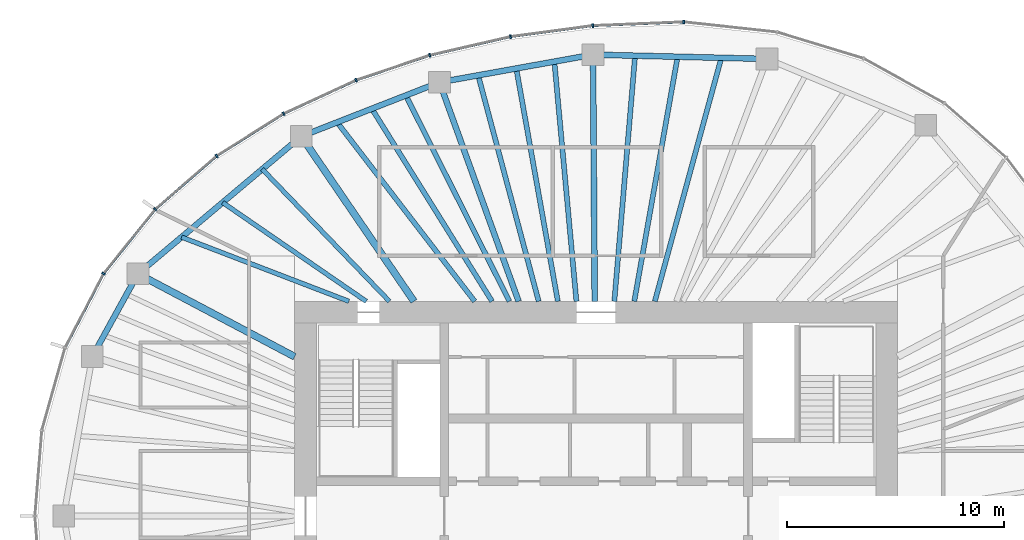
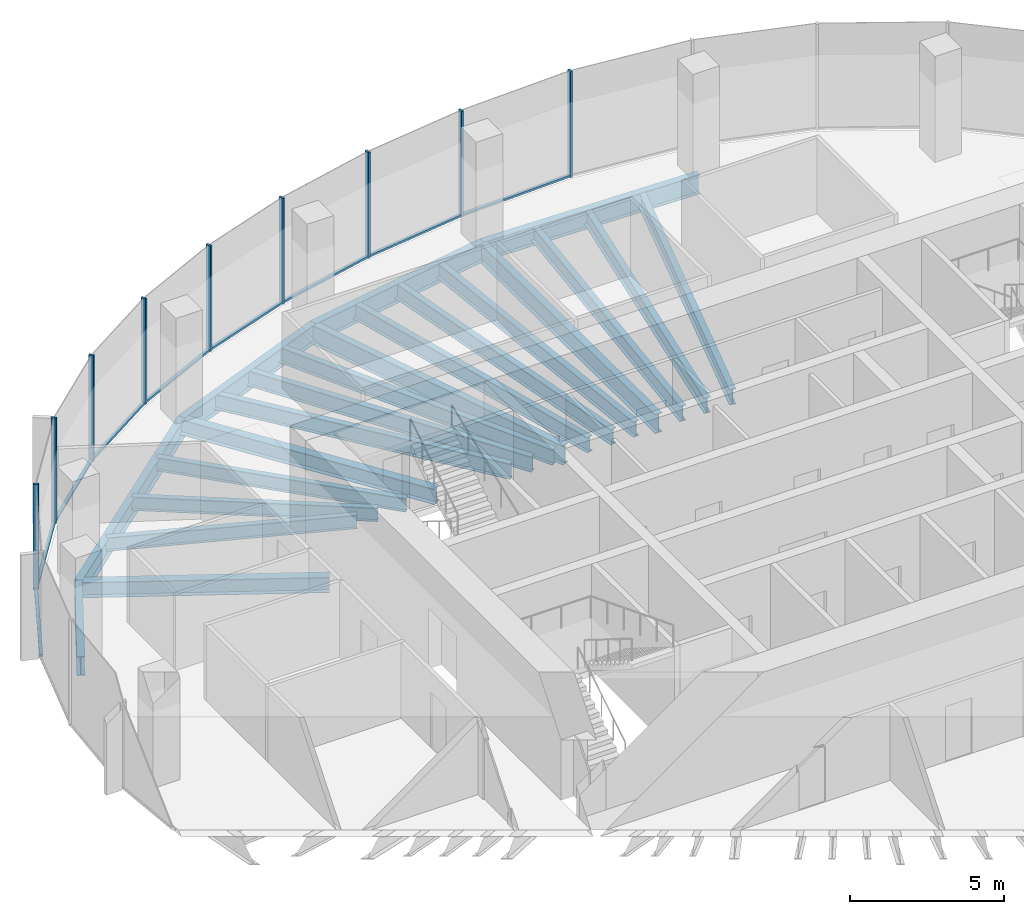
# One storey, part 5 of 11: 21 beams, 18 members, 5 elements without a shape of their own.
"""IFC4 building model written with IfcOpenShell, lengths in metres."""

from ifc_helpers import new_model, si_unit, direction, frame, origin, origin_2d, place, context, subcontext, project, spatial, rectangle, i_section, extrude, material, material_profile, profile_set, type_object, element, aggregate, save


model = new_model("IFC4")

# Units and contexts
model_context = context("Model", 3, precision=1e-05, world=origin(), true_north=direction((0.0, 1.0)))
body_context = subcontext(model_context, "Body", "Model", "MODEL_VIEW")
ifc_project = project(units=[si_unit("LENGTHUNIT", "METRE"), si_unit("AREAUNIT", "SQUARE_METRE"), si_unit("VOLUMEUNIT", "CUBIC_METRE"), si_unit("PLANEANGLEUNIT", "RADIAN"), si_unit("MASSUNIT", "GRAM", prefix="KILO")], contexts=[model_context])

# Site, building, storey
site_placement = place(None, origin())
site = spatial("IfcSite", under=ifc_project, at=site_placement, CompositionType="ELEMENT")
building_placement = place(site_placement, origin())
building = spatial("IfcBuilding", under=site, at=building_placement, Name="Ghaith Harvest Tower", CompositionType="ELEMENT")
storey_placement = place(building_placement, frame((0.0, 0.0, 330.0)))
storey = spatial("IfcBuildingStorey", under=building, at=storey_placement, Name="L74", CompositionType="ELEMENT", Elevation=330.0)

# Curtain wall, member
ifc_material_1 = material(Name="Black anodised aluminium and fritted glass", Category="aluminium")
curtain_wall_type = type_object("IfcCurtainWallType", Name="CW-T CURTAIN WALL", PredefinedType="NOTDEFINED", material=ifc_material_1)
curtain_wall_1_placement = place(storey_placement, origin())
curtain_wall_1 = element("IfcCurtainWall", 1, at=curtain_wall_1_placement, inside=storey, type_object=curtain_wall_type, Name="Curtain wall CW-T bay 05 L74", PredefinedType="NOTDEFINED")
ifc_material_2 = material(Name="Aluminium, black anodised", Category="aluminium")
ifc_material_profile_1 = material_profile(ifc_material_2, rectangle(XDim=0.080078125, YDim=0.179931640625, at=origin_2d()), Name="CW-T MULLION 80x180")
ifc_profile_set_1 = profile_set([ifc_material_profile_1], Name="Aluminium, black anodised")
member_type_1 = type_object("IfcMemberType", Name="CW-T MULLION 80x180", PredefinedType="MULLION", material=ifc_profile_set_1)
member_1_placement = place(storey_placement, frame((4.037841796875, 22.776611328125, 0.0), z_axis=(0.0, 0.0, 1.0), x_axis=(-0.999388631236, 0.034962319079, 0.0)))
member_1 = element("IfcMember", 2, at=member_1_placement, type_object=member_type_1, Name="CW-T mullion 2 bay 05 L74", PredefinedType="MULLION", context=body_context, shape_type="SweptSolid", body=[
    extrude(rectangle(XDim=0.080078125, YDim=0.179931640625, at=origin_2d()), origin(), (0.0, 0.0, 1.0), 4.199951171875),
])

# Curtain wall, members
curtain_wall_2_placement = place(storey_placement, origin())
curtain_wall_2 = element("IfcCurtainWall", 3, at=curtain_wall_2_placement, inside=storey, type_object=curtain_wall_type, Name="Curtain wall CW-T bay 06 L74", PredefinedType="NOTDEFINED")
member_2_placement = place(storey_placement, frame((-0.15478515625, 22.60595703125, 0.0), z_axis=(0.0, 0.0, 1.0), x_axis=(-0.996414855482, -0.084601629853, 0.0)))
member_2 = element("IfcMember", 4, at=member_2_placement, type_object=member_type_1, Name="CW-T mullion 1 bay 06 L74", PredefinedType="MULLION", context=body_context, shape_type="SweptSolid", body=[
    extrude(rectangle(XDim=0.080078125, YDim=0.179931640625, at=origin_2d()), origin(), (0.0, 0.0, 1.0), 4.199951171875),
])
member_3_placement = place(storey_placement, frame((-3.946533203125, 22.0986328125, 0.0), z_axis=(0.0, 0.0, 1.0), x_axis=(-0.983843447681, -0.179030920389, 0.0)))
member_3 = element("IfcMember", 5, at=member_3_placement, type_object=member_type_1, Name="CW-T mullion 2 bay 06 L74", PredefinedType="MULLION", context=body_context, shape_type="SweptSolid", body=[
    extrude(rectangle(XDim=0.080078125, YDim=0.179931640625, at=origin_2d()), origin(), (0.0, 0.0, 1.0), 4.199951171875),
])

curtain_wall_3_placement = place(storey_placement, origin())
curtain_wall_3 = element("IfcCurtainWall", 6, at=curtain_wall_3_placement, inside=storey, type_object=curtain_wall_type, Name="Curtain wall CW-T bay 07 L74", PredefinedType="NOTDEFINED")
member_4_placement = place(storey_placement, frame((-7.6708984375, 21.23828125, 0.0), z_axis=(0.0, 0.0, 1.0), x_axis=(-0.962552491436, -0.27109537294, 0.0)))
member_4 = element("IfcMember", 7, at=member_4_placement, type_object=member_type_1, Name="CW-T mullion 1 bay 07 L74", PredefinedType="MULLION", context=body_context, shape_type="SweptSolid", body=[
    extrude(rectangle(XDim=0.080078125, YDim=0.179931640625, at=origin_2d()), origin(), (0.0, 0.0, 1.0), 4.199951171875),
])
member_5_placement = place(storey_placement, frame((-11.0673828125, 20.093017578125, 0.0), z_axis=(0.0, 0.0, 1.0), x_axis=(-0.928624420706, -0.371021138573, 0.0)))
member_5 = element("IfcMember", 8, at=member_5_placement, type_object=member_type_1, Name="CW-T mullion 2 bay 07 L74", PredefinedType="MULLION", context=body_context, shape_type="SweptSolid", body=[
    extrude(rectangle(XDim=0.080078125, YDim=0.179931640625, at=origin_2d()), origin(), (0.0, 0.0, 1.0), 4.199951171875),
])

curtain_wall_4_placement = place(storey_placement, origin())
curtain_wall_4 = element("IfcCurtainWall", 9, at=curtain_wall_4_placement, inside=storey, type_object=curtain_wall_type, Name="Curtain wall CW-T bay 08 L74", PredefinedType="NOTDEFINED")
member_6_placement = place(storey_placement, frame((-14.40478515625, 18.5478515625, 0.0), z_axis=(0.0, 0.0, 1.0), x_axis=(-0.87867173244, -0.477426420101, 0.0)))
member_6 = element("IfcMember", 10, at=member_6_placement, type_object=member_type_1, Name="CW-T mullion 1 bay 08 L74", PredefinedType="MULLION", context=body_context, shape_type="SweptSolid", body=[
    extrude(rectangle(XDim=0.080078125, YDim=0.179931640625, at=origin_2d()), origin(), (0.0, 0.0, 1.0), 4.199951171875),
])
member_7_placement = place(storey_placement, frame((-17.49462890625, 16.600830078125, 0.0), z_axis=(0.0, 0.0, 1.0), x_axis=(-0.802189888678, -0.597068993084, 0.0)))
member_7 = element("IfcMember", 11, at=member_7_placement, type_object=member_type_1, Name="CW-T mullion 2 bay 08 L74", PredefinedType="MULLION", context=body_context, shape_type="SweptSolid", body=[
    extrude(rectangle(XDim=0.080078125, YDim=0.179931640625, at=origin_2d()), origin(), (0.0, 0.0, 1.0), 4.199951171875),
])

curtain_wall_5_placement = place(storey_placement, origin())
curtain_wall_5 = element("IfcCurtainWall", 12, at=curtain_wall_5_placement, inside=storey, type_object=curtain_wall_type, Name="Curtain wall CW-T bay 09 L74", PredefinedType="NOTDEFINED")
member_8_placement = place(storey_placement, frame((-20.324462890625, 14.141845703125, 0.0), z_axis=(0.0, 0.0, 1.0), x_axis=(-0.692826491995, -0.72110432809, 0.0)))
member_8 = element("IfcMember", 13, at=member_8_placement, type_object=member_type_1, Name="CW-T mullion 1 bay 09 L74", PredefinedType="MULLION", context=body_context, shape_type="SweptSolid", body=[
    extrude(rectangle(XDim=0.080078125, YDim=0.179931640625, at=origin_2d()), origin(), (0.0, 0.0, 1.0), 4.199951171875),
])
member_9_placement = place(storey_placement, frame((-22.706298828125, 11.176513671875, 0.0), z_axis=(0.0, 0.0, 1.0), x_axis=(-0.545865412621, -0.837872872997, 0.0)))
member_9 = element("IfcMember", 14, at=member_9_placement, type_object=member_type_1, Name="CW-T mullion 2 bay 09 L74", PredefinedType="MULLION", context=body_context, shape_type="SweptSolid", body=[
    extrude(rectangle(XDim=0.080078125, YDim=0.179931640625, at=origin_2d()), origin(), (0.0, 0.0, 1.0), 4.199951171875),
])

# Member
ifc_material_3 = material(Name="Aluminium, black anodised", Category="aluminium")
ifc_material_profile_2 = material_profile(ifc_material_3, rectangle(XDim=0.1201171875, YDim=0.080078125, at=origin_2d()), Name="CW-T TRANSOM 120x80")
ifc_profile_set_2 = profile_set([ifc_material_profile_2], Name="Aluminium, black anodised")
member_type_2 = type_object("IfcMemberType", Name="CW-T TRANSOM 120x80", PredefinedType="USERDEFINED", material=ifc_profile_set_2)
member_10_placement = place(storey_placement, frame((3.997802734375, 22.77490234375, 0.0400390625), z_axis=(-0.999174207562, -0.040631304968, 0.0), x_axis=(0.040631304968, -0.999174207562, 0.0)))
member_10 = element("IfcMember", 15, at=member_10_placement, type_object=member_type_2, Name="CW-T transom 2 bay 05 L74", ObjectType="TRANSOM", PredefinedType="USERDEFINED", context=body_context, shape_type="SweptSolid", body=[
    extrude(rectangle(XDim=0.1201171875, YDim=0.080078125, at=origin_2d()), origin(), (0.0, 0.0, 1.0), 4.115966796875),
])

aggregate(curtain_wall_1, [member_1, member_10])

member_11_placement = place(storey_placement, frame((-0.1943359375, 22.6005859375, 0.0400390625), z_axis=(-0.99117202259, -0.132582131655, 0.0), x_axis=(0.132582131655, -0.99117202259, 0.0)))
member_11 = element("IfcMember", 16, at=member_11_placement, type_object=member_type_2, Name="CW-T transom 1 bay 06 L74", ObjectType="TRANSOM", PredefinedType="USERDEFINED", context=body_context, shape_type="SweptSolid", body=[
    extrude(rectangle(XDim=0.1201171875, YDim=0.080078125, at=origin_2d()), origin(), (0.0, 0.0, 1.0), 3.745361328125),
])

member_12_placement = place(storey_placement, frame((-3.9853515625, 22.089599609375, 0.0400390625), z_axis=(-0.974344997799, -0.225059603803, 0.0), x_axis=(0.225059603803, -0.974344997799, 0.0)))
member_12 = element("IfcMember", 17, at=member_12_placement, type_object=member_type_2, Name="CW-T transom 2 bay 06 L74", ObjectType="TRANSOM", PredefinedType="USERDEFINED", context=body_context, shape_type="SweptSolid", body=[
    extrude(rectangle(XDim=0.1201171875, YDim=0.080078125, at=origin_2d()), origin(), (0.0, 0.0, 1.0), 3.742431640625),
])

aggregate(curtain_wall_2, [member_2, member_11, member_3, member_12])

member_13_placement = place(storey_placement, frame((-7.708740234375, 21.2255859375, 0.0400390625), z_axis=(-0.9475698206, -0.319548799228, 0.0), x_axis=(0.319548799228, -0.9475698206, 0.0)))
member_13 = element("IfcMember", 18, at=member_13_placement, type_object=member_type_2, Name="CW-T transom 1 bay 07 L74", ObjectType="TRANSOM", PredefinedType="USERDEFINED", context=body_context, shape_type="SweptSolid", body=[
    extrude(rectangle(XDim=0.1201171875, YDim=0.080078125, at=origin_2d()), origin(), (0.0, 0.0, 1.0), 3.504638671875),
])

member_14_placement = place(storey_placement, frame((-11.103759765625, 20.076171875, 0.0400390625), z_axis=(-0.907472177056, -0.420112184862, 0.0), x_axis=(0.420112184862, -0.907472177056, 0.0)))
member_14 = element("IfcMember", 19, at=member_14_placement, type_object=member_type_2, Name="CW-T transom 2 bay 07 L74", ObjectType="TRANSOM", PredefinedType="USERDEFINED", context=body_context, shape_type="SweptSolid", body=[
    extrude(rectangle(XDim=0.1201171875, YDim=0.080078125, at=origin_2d()), origin(), (0.0, 0.0, 1.0), 3.597900390625),
])

aggregate(curtain_wall_3, [member_4, member_13, member_5, member_14])

member_15_placement = place(storey_placement, frame((-14.438720703125, 18.5263671875, 0.0400390625), z_axis=(-0.846053602505, -0.533097835006, 0.0), x_axis=(0.533097835006, -0.846053602505, 0.0)))
member_15 = element("IfcMember", 20, at=member_15_placement, type_object=member_type_2, Name="CW-T transom 1 bay 08 L74", ObjectType="TRANSOM", PredefinedType="USERDEFINED", context=body_context, shape_type="SweptSolid", body=[
    extrude(rectangle(XDim=0.1201171875, YDim=0.080078125, at=origin_2d()), origin(), (0.0, 0.0, 1.0), 3.572021484375),
])

member_16_placement = place(storey_placement, frame((-17.52490234375, 16.574462890625, 0.0400390625), z_axis=(-0.754851889287, -0.65589528527, 0.0), x_axis=(0.65589528527, -0.754851889287, 0.0)))
member_16 = element("IfcMember", 21, at=member_16_placement, type_object=member_type_2, Name="CW-T transom 2 bay 08 L74", ObjectType="TRANSOM", PredefinedType="USERDEFINED", context=body_context, shape_type="SweptSolid", body=[
    extrude(rectangle(XDim=0.1201171875, YDim=0.080078125, at=origin_2d()), origin(), (0.0, 0.0, 1.0), 3.668701171875),
])

aggregate(curtain_wall_4, [member_6, member_15, member_7, member_16])

member_17_placement = place(storey_placement, frame((-20.349365234375, 14.110595703125, 0.0400390625), z_axis=(-0.626253073761, -0.779619835307, 0.0), x_axis=(0.779619835307, -0.626253073761, 0.0)))
member_17 = element("IfcMember", 22, at=member_17_placement, type_object=member_type_2, Name="CW-T transom 1 bay 09 L74", ObjectType="TRANSOM", PredefinedType="USERDEFINED", context=body_context, shape_type="SweptSolid", body=[
    extrude(rectangle(XDim=0.1201171875, YDim=0.080078125, at=origin_2d()), origin(), (0.0, 0.0, 1.0), 3.723388671875),
])

member_18_placement = place(storey_placement, frame((-22.724609375, 11.14111328125, 0.0400390625), z_axis=(-0.461242681347, -0.887274021317, 0.0), x_axis=(0.887274021317, -0.461242681347, 0.0)))
member_18 = element("IfcMember", 23, at=member_18_placement, type_object=member_type_2, Name="CW-T transom 2 bay 09 L74", ObjectType="TRANSOM", PredefinedType="USERDEFINED", context=body_context, shape_type="SweptSolid", body=[
    extrude(rectangle(XDim=0.1201171875, YDim=0.080078125, at=origin_2d()), origin(), (0.0, 0.0, 1.0), 3.77197265625),
])

aggregate(curtain_wall_5, [member_8, member_17, member_9, member_18])

# Beams
ifc_material_4 = material(Name="Steel ASTM A992 Grade 50", Category="steel")
ifc_material_profile_3 = material_profile(ifc_material_4, i_section(OverallWidth=0.26611328125, OverallDepth=0.758056640625, WebThickness=0.013916015625, FlangeThickness=0.019287109375, at=origin_2d()), Name="W760X161")
ifc_profile_set_3 = profile_set([ifc_material_profile_3], Name="Steel ASTM A992 Grade 50")
beam_type_1 = type_object("IfcBeamType", Name="E760-161 W760X161", PredefinedType="SPANDREL", material=ifc_profile_set_3)
beam_1_placement = place(storey_placement, frame((7.8779296875, 21.072021484375, -0.549072265625), z_axis=(-0.999692679676, 0.024790042413, 0.0), x_axis=(-0.024790042413, -0.999692679676, 0.0)))
element("IfcBeam", 24, at=beam_1_placement, inside=storey, type_object=beam_type_1, Name="Edge beam E05 L74", PredefinedType="SPANDREL", context=body_context, shape_type="SweptSolid", body=[
    extrude(i_section(OverallWidth=0.26611328125, OverallDepth=0.758056640625, WebThickness=0.013916015625, FlangeThickness=0.019287109375, at=origin_2d()), origin(), (0.0, 0.0, 1.0), 8.0263671875),
])
beam_2_placement = place(storey_placement, frame((-0.14599609375, 21.27099609375, -0.549072265625), z_axis=(-0.984177047684, -0.177187863051, 0.0), x_axis=(0.177187863051, -0.984177047684, 0.0)))
element("IfcBeam", 25, at=beam_2_placement, inside=storey, type_object=beam_type_1, Name="Edge beam E06 L74", PredefinedType="SPANDREL", context=body_context, shape_type="SweptSolid", body=[
    extrude(i_section(OverallWidth=0.26611328125, OverallDepth=0.758056640625, WebThickness=0.013916015625, FlangeThickness=0.019287109375, at=origin_2d()), origin(), (0.0, 0.0, 1.0), 7.189697265625),
])
beam_3_placement = place(storey_placement, frame((-7.221923828125, 19.9970703125, -0.549072265625), z_axis=(-0.931322768207, -0.364194867371, 0.0), x_axis=(0.364194867371, -0.931322768207, 0.0)))
element("IfcBeam", 26, at=beam_3_placement, inside=storey, type_object=beam_type_1, Name="Edge beam E07 L74", PredefinedType="SPANDREL", context=body_context, shape_type="SweptSolid", body=[
    extrude(i_section(OverallWidth=0.26611328125, OverallDepth=0.758056640625, WebThickness=0.013916015625, FlangeThickness=0.019287109375, at=origin_2d()), origin(), (0.0, 0.0, 1.0), 6.843017578125),
])
beam_4_placement = place(storey_placement, frame((-13.594970703125, 17.5048828125, -0.549072265625), z_axis=(-0.765021818761, -0.64400436087, 0.0), x_axis=(0.64400436087, -0.765021818761, 0.0)))
element("IfcBeam", 27, at=beam_4_placement, inside=storey, type_object=beam_type_1, Name="Edge beam E08 L74", PredefinedType="SPANDREL", context=body_context, shape_type="SweptSolid", body=[
    extrude(i_section(OverallWidth=0.26611328125, OverallDepth=0.758056640625, WebThickness=0.013916015625, FlangeThickness=0.019287109375, at=origin_2d()), origin(), (0.0, 0.0, 1.0), 9.8427734375),
])
beam_5_placement = place(storey_placement, frame((-21.125, 11.166015625, -0.549072265625), z_axis=(-0.482955575345, -0.875644855089, 0.0), x_axis=(0.875644855089, -0.482955575345, 0.0)))
element("IfcBeam", 28, at=beam_5_placement, inside=storey, type_object=beam_type_1, Name="Edge beam E09 L74", PredefinedType="SPANDREL", context=body_context, shape_type="SweptSolid", body=[
    extrude(i_section(OverallWidth=0.26611328125, OverallDepth=0.758056640625, WebThickness=0.013916015625, FlangeThickness=0.019287109375, at=origin_2d()), origin(), (0.0, 0.0, 1.0), 4.346435546875),
])
ifc_material_5 = material(Name="Steel ASTM A992 Grade 50", Category="steel")
ifc_material_profile_4 = material_profile(ifc_material_5, i_section(OverallWidth=0.323974609375, OverallDepth=0.611083984375, WebThickness=0.0126953125, FlangeThickness=0.01904296875, at=origin_2d()), Name="W610X155")
ifc_profile_set_4 = profile_set([ifc_material_profile_4], Name="Steel ASTM A992 Grade 50")
beam_type_2 = type_object("IfcBeamType", Name="G610-155 W610X155", PredefinedType="BEAM", material=ifc_profile_set_4)
beam_6_placement = place(storey_placement, frame((-8.39990234375, 9.89990234375, -0.4755859375), z_axis=(-0.564067018201, 0.825729010619, 0.0), x_axis=(-0.825729010619, -0.564067018201, 0.0)))
element("IfcBeam", 29, at=beam_6_placement, inside=storey, type_object=beam_type_2, Name="Radial girder G08 L74", PredefinedType="BEAM", context=body_context, shape_type="SweptSolid", body=[
    extrude(i_section(OverallWidth=0.323974609375, OverallDepth=0.611083984375, WebThickness=0.0126953125, FlangeThickness=0.01904296875, at=origin_2d()), origin(), (0.0, 0.0, 1.0), 9.2099609375),
])
beam_7_placement = place(storey_placement, frame((-13.89990234375, 7.34716796875, -0.4755859375), z_axis=(-0.88410164037, 0.467294649546, 0.0), x_axis=(-0.467294649546, -0.88410164037, 0.0)))
element("IfcBeam", 30, at=beam_7_placement, inside=storey, type_object=beam_type_2, Name="Radial girder G09 L74", PredefinedType="BEAM", context=body_context, shape_type="SweptSolid", body=[
    extrude(i_section(OverallWidth=0.323974609375, OverallDepth=0.611083984375, WebThickness=0.0126953125, FlangeThickness=0.01904296875, at=origin_2d()), origin(), (0.0, 0.0, 1.0), 8.17236328125),
])
ifc_material_6 = material(Name="Steel ASTM A992 Grade 50", Category="steel")
ifc_material_profile_5 = material_profile(ifc_material_6, i_section(OverallWidth=0.26611328125, OverallDepth=0.758056640625, WebThickness=0.013916015625, FlangeThickness=0.019287109375, at=origin_2d()), Name="W760X161")
ifc_profile_set_5 = profile_set([ifc_material_profile_5], Name="Steel ASTM A992 Grade 50")
beam_type_3 = type_object("IfcBeamType", Name="G760-161 W760X161", PredefinedType="BEAM", material=ifc_profile_set_5)
beam_8_placement = place(storey_placement, frame((-0.06787109375, 9.89990234375, -0.549072265625), z_axis=(-0.00687032909, 0.999976399011, 0.0), x_axis=(-0.999976399011, -0.00687032909, 0.0)))
element("IfcBeam", 31, at=beam_8_placement, inside=storey, type_object=beam_type_3, Name="Radial girder G06 L74", PredefinedType="BEAM", context=body_context, shape_type="SweptSolid", body=[
    extrude(i_section(OverallWidth=0.26611328125, OverallDepth=0.758056640625, WebThickness=0.013916015625, FlangeThickness=0.019287109375, at=origin_2d()), origin(), (0.0, 0.0, 1.0), 11.371337890625),
])
beam_9_placement = place(storey_placement, frame((-3.57568359375, 9.89990234375, -0.549072265625), z_axis=(-0.339647816823, 0.940552688863, 0.0), x_axis=(-0.940552688863, -0.339647816823, 0.0)))
element("IfcBeam", 32, at=beam_9_placement, inside=storey, type_object=beam_type_3, Name="Radial girder G07 L74", PredefinedType="BEAM", context=body_context, shape_type="SweptSolid", body=[
    extrude(i_section(OverallWidth=0.26611328125, OverallDepth=0.758056640625, WebThickness=0.013916015625, FlangeThickness=0.019287109375, at=origin_2d()), origin(), (0.0, 0.0, 1.0), 10.7353515625),
])
ifc_material_7 = material(Name="Steel ASTM A992 Grade 50", Category="steel")
ifc_material_profile_6 = material_profile(ifc_material_7, i_section(OverallWidth=0.2109375, OverallDepth=0.5390625, WebThickness=0.01171875, FlangeThickness=0.018798828125, at=origin_2d()), Name="W530X109")
ifc_profile_set_6 = profile_set([ifc_material_profile_6], Name="Steel ASTM A992 Grade 50")
beam_type_4 = type_object("IfcBeamType", Name="J530-109 W530X109", PredefinedType="JOIST", material=ifc_profile_set_6)
beam_10_placement = place(storey_placement, frame((-9.530517578125, 9.89990234375, -0.439453125), z_axis=(-0.693536238632, 0.720421741554, 0.0), x_axis=(-0.720421741554, -0.693536238632, 0.0)))
element("IfcBeam", 33, at=beam_10_placement, inside=storey, type_object=beam_type_4, Name="Joist J08.1 L74", PredefinedType="JOIST", context=body_context, shape_type="SweptSolid", body=[
    extrude(i_section(OverallWidth=0.2109375, OverallDepth=0.5390625, WebThickness=0.01171875, FlangeThickness=0.018798828125, at=origin_2d()), origin(), (0.0, 0.0, 1.0), 8.4541015625),
])
beam_11_placement = place(storey_placement, frame((-10.60009765625, 9.89990234375, -0.439453125), z_axis=(-0.823778502511, 0.566911791023, 0.0), x_axis=(-0.566911791023, -0.823778502511, 0.0)))
element("IfcBeam", 34, at=beam_11_placement, inside=storey, type_object=beam_type_4, Name="Joist J08.2 L74", PredefinedType="JOIST", context=body_context, shape_type="SweptSolid", body=[
    extrude(i_section(OverallWidth=0.2109375, OverallDepth=0.5390625, WebThickness=0.01171875, FlangeThickness=0.018798828125, at=origin_2d()), origin(), (0.0, 0.0, 1.0), 8.0341796875),
])
beam_12_placement = place(storey_placement, frame((-11.39990234375, 9.89990234375, -0.439453125), z_axis=(-0.933583045329, 0.358361127181, 0.0), x_axis=(-0.358361127181, -0.933583045329, 0.0)))
element("IfcBeam", 35, at=beam_12_placement, inside=storey, type_object=beam_type_4, Name="Joist J08.3 L74", PredefinedType="JOIST", context=body_context, shape_type="SweptSolid", body=[
    extrude(i_section(OverallWidth=0.2109375, OverallDepth=0.5390625, WebThickness=0.01171875, FlangeThickness=0.018798828125, at=origin_2d()), origin(), (0.0, 0.0, 1.0), 8.260986328125),
])
ifc_material_8 = material(Name="Steel ASTM A992 Grade 50", Category="steel")
ifc_material_profile_7 = material_profile(ifc_material_8, i_section(OverallWidth=0.22998046875, OverallDepth=0.616943359375, WebThickness=0.01318359375, FlangeThickness=0.022216796875, at=origin_2d()), Name="W610X140")
ifc_profile_set_7 = profile_set([ifc_material_profile_7], Name="Steel ASTM A992 Grade 50")
beam_type_5 = type_object("IfcBeamType", Name="J610-140 W610X140", PredefinedType="JOIST", material=ifc_profile_set_7)
beam_13_placement = place(storey_placement, frame((2.70361328125, 9.89990234375, -0.478515625), z_axis=(0.263456499314, 0.964671277156, 0.0), x_axis=(-0.964671277156, 0.263456499314, 0.0)))
element("IfcBeam", 36, at=beam_13_placement, inside=storey, type_object=beam_type_5, Name="Joist J05.1 L74", PredefinedType="JOIST", context=body_context, shape_type="SweptSolid", body=[
    extrude(i_section(OverallWidth=0.22998046875, OverallDepth=0.616943359375, WebThickness=0.01318359375, FlangeThickness=0.022216796875, at=origin_2d()), origin(), (0.0, 0.0, 1.0), 11.635498046875),
])
beam_14_placement = place(storey_placement, frame((1.7548828125, 9.89990234375, -0.478515625), z_axis=(0.174562528022, 0.984646090639, 0.0), x_axis=(-0.984646090639, 0.174562528022, 0.0)))
element("IfcBeam", 37, at=beam_14_placement, inside=storey, type_object=beam_type_5, Name="Joist J05.2 L74", PredefinedType="JOIST", context=body_context, shape_type="SweptSolid", body=[
    extrude(i_section(OverallWidth=0.22998046875, OverallDepth=0.616943359375, WebThickness=0.01318359375, FlangeThickness=0.022216796875, at=origin_2d()), origin(), (0.0, 0.0, 1.0), 11.4501953125),
])
beam_15_placement = place(storey_placement, frame((0.836669921875, 9.89990234375, -0.478515625), z_axis=(0.084199386432, 0.996448926601, 0.0), x_axis=(-0.996448926601, 0.084199386432, 0.0)))
element("IfcBeam", 38, at=beam_15_placement, inside=storey, type_object=beam_type_5, Name="Joist J05.3 L74", PredefinedType="JOIST", context=body_context, shape_type="SweptSolid", body=[
    extrude(i_section(OverallWidth=0.22998046875, OverallDepth=0.616943359375, WebThickness=0.01318359375, FlangeThickness=0.022216796875, at=origin_2d()), origin(), (0.0, 0.0, 1.0), 11.36328125),
])
beam_16_placement = place(storey_placement, frame((-0.9111328125, 9.89990234375, -0.478515625), z_axis=(-0.091654473201, 0.995790870385, 0.0), x_axis=(-0.995790870385, -0.091654473201, 0.0)))
element("IfcBeam", 39, at=beam_16_placement, inside=storey, type_object=beam_type_5, Name="Joist J06.1 L74", PredefinedType="JOIST", context=body_context, shape_type="SweptSolid", body=[
    extrude(i_section(OverallWidth=0.22998046875, OverallDepth=0.616943359375, WebThickness=0.01318359375, FlangeThickness=0.022216796875, at=origin_2d()), origin(), (0.0, 0.0, 1.0), 11.096923828125),
])
beam_17_placement = place(storey_placement, frame((-1.76806640625, 9.89990234375, -0.478515625), z_axis=(-0.175789088574, 0.984427852277, 0.0), x_axis=(-0.984427852277, -0.175789088574, 0.0)))
element("IfcBeam", 40, at=beam_17_placement, inside=storey, type_object=beam_type_5, Name="Joist J06.2 L74", PredefinedType="JOIST", context=body_context, shape_type="SweptSolid", body=[
    extrude(i_section(OverallWidth=0.22998046875, OverallDepth=0.616943359375, WebThickness=0.01318359375, FlangeThickness=0.022216796875, at=origin_2d()), origin(), (0.0, 0.0, 1.0), 10.903564453125),
])
beam_18_placement = place(storey_placement, frame((-2.651123046875, 9.89990234375, -0.478515625), z_axis=(-0.258678376387, 0.96596350738, 0.0), x_axis=(-0.96596350738, -0.258678376387, 0.0)))
element("IfcBeam", 41, at=beam_18_placement, inside=storey, type_object=beam_type_5, Name="Joist J06.3 L74", PredefinedType="JOIST", context=body_context, shape_type="SweptSolid", body=[
    extrude(i_section(OverallWidth=0.22998046875, OverallDepth=0.616943359375, WebThickness=0.01318359375, FlangeThickness=0.022216796875, at=origin_2d()), origin(), (0.0, 0.0, 1.0), 10.784912109375),
])
beam_19_placement = place(storey_placement, frame((-4.0, 9.89990234375, -0.478515625), z_axis=(-0.449556131123, 0.893252083664, 0.0), x_axis=(-0.893252083664, -0.449556131123, 0.0)))
element("IfcBeam", 42, at=beam_19_placement, inside=storey, type_object=beam_type_5, Name="Joist J07.1 L74", PredefinedType="JOIST", context=body_context, shape_type="SweptSolid", body=[
    extrude(i_section(OverallWidth=0.22998046875, OverallDepth=0.616943359375, WebThickness=0.01318359375, FlangeThickness=0.022216796875, at=origin_2d()), origin(), (0.0, 0.0, 1.0), 10.62353515625),
])
beam_20_placement = place(storey_placement, frame((-4.800048828125, 9.89990234375, -0.478515625), z_axis=(-0.529596254905, 0.848249849273, 0.0), x_axis=(-0.848249849273, -0.529596254905, 0.0)))
element("IfcBeam", 43, at=beam_20_placement, inside=storey, type_object=beam_type_5, Name="Joist J07.2 L74", PredefinedType="JOIST", context=body_context, shape_type="SweptSolid", body=[
    extrude(i_section(OverallWidth=0.22998046875, OverallDepth=0.616943359375, WebThickness=0.01318359375, FlangeThickness=0.022216796875, at=origin_2d()), origin(), (0.0, 0.0, 1.0), 10.465087890625),
])
beam_21_placement = place(storey_placement, frame((-5.60009765625, 9.89990234375, -0.478515625), z_axis=(-0.609353577926, 0.792898617144, 0.0), x_axis=(-0.792898617144, -0.609353577926, 0.0)))
element("IfcBeam", 44, at=beam_21_placement, inside=storey, type_object=beam_type_5, Name="Joist J07.3 L74", PredefinedType="JOIST", context=body_context, shape_type="SweptSolid", body=[
    extrude(i_section(OverallWidth=0.22998046875, OverallDepth=0.616943359375, WebThickness=0.01318359375, FlangeThickness=0.022216796875, at=origin_2d()), origin(), (0.0, 0.0, 1.0), 10.406982421875),
])

save(model, "model.ifc")
